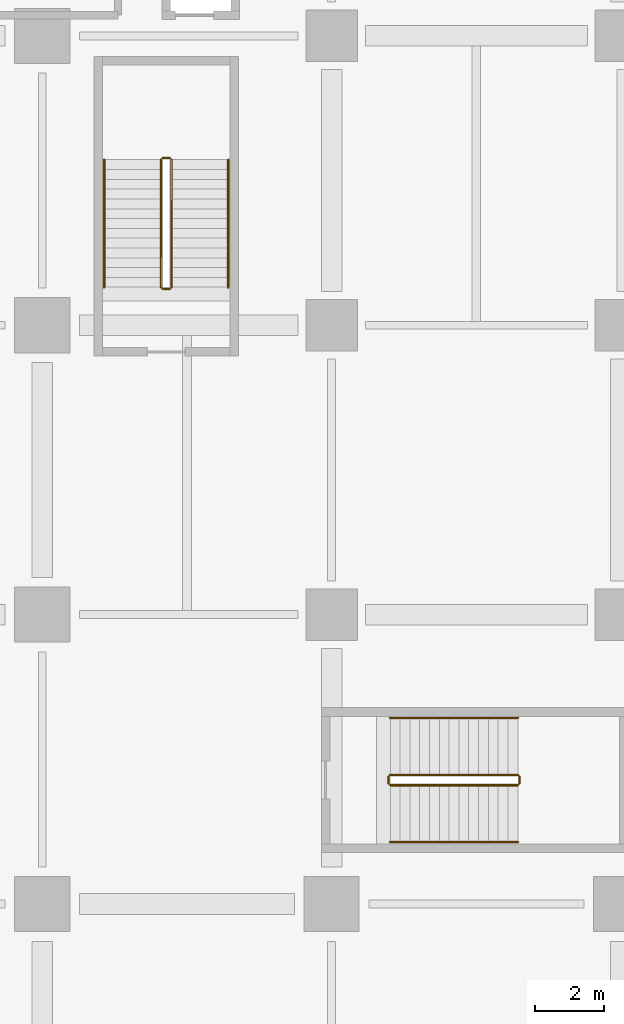
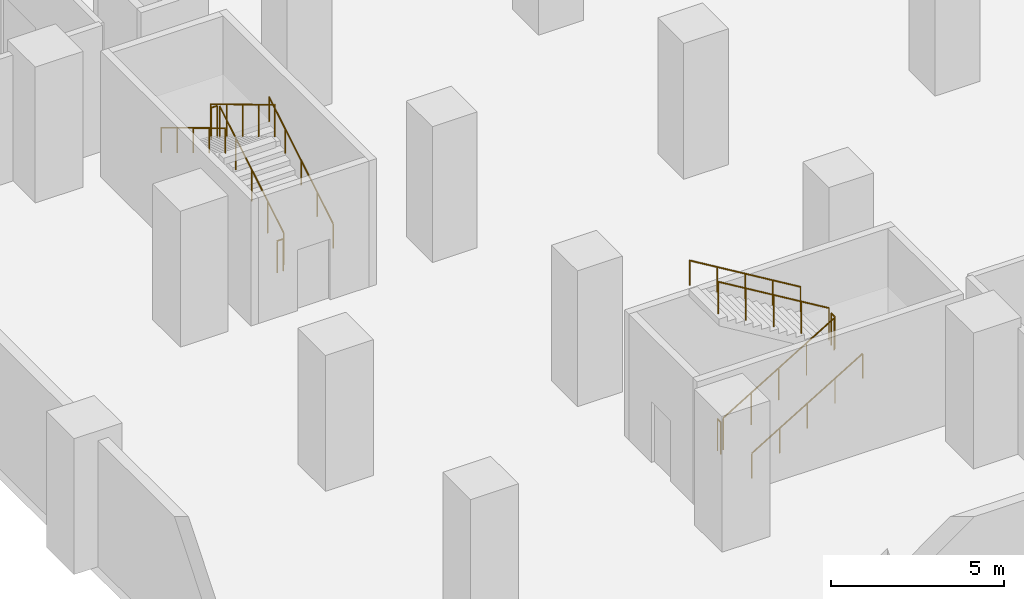
# One storey, part 19 of 22: 12 railings.
"""IFC4 building model written with IfcOpenShell, lengths in metres."""

import ifcopenshell
import ifcopenshell.guid

model = None  # the IFC model being written
_history = None  # IfcOwnerHistory: only IFC2X3 demands one
_inside = {}  # id of a spatial element -> (the spatial element, [elements in it])
_under = {}  # id of a project, library or spatial element -> (it, [spatial elements below it])
_declared = {}  # id of a project -> (the project, [libraries it declares])
_typed = {}  # id of a type object -> (the type object, [elements of that type])
_made_of = {}  # id of a material, layer set ... -> (it, [elements and type objects made of it])


def new_model(schema):
    """Start an empty IFC model of exactly this schema.

    Asked for "IFC4X3", IfcOpenShell would pick the latest addendum, in which some entities
    have other attributes; the version numbers below select the first issue.
    IFC2X3 requires an IfcOwnerHistory on every rooted entity: one is made here for all.
    """
    global model, _history
    if schema == "IFC4X3":
        model = ifcopenshell.file(schema_version=(4, 3, 0, 0))
    else:
        model = ifcopenshell.file(schema=schema)
    _inside.clear()
    _under.clear()
    _declared.clear()
    _typed.clear()
    _made_of.clear()
    _history = None
    if model.schema == "IFC2X3":
        org = make("IfcOrganization", Name="unknown")
        user = make(
            "IfcPersonAndOrganization",
            ThePerson=make("IfcPerson", FamilyName="unknown"),
            TheOrganization=org,
        )
        app = make(
            "IfcApplication",
            ApplicationDeveloper=org,
            Version="unknown",
            ApplicationFullName="unknown",
            ApplicationIdentifier="unknown",
        )
        _history = make(
            "IfcOwnerHistory",
            OwningUser=user,
            OwningApplication=app,
            ChangeAction="ADDED",
            CreationDate=0,
        )
    return model


def make(cls, **values):
    """One entity of the class cls with the attributes given. An attribute that is None is left unset."""
    return model.create_entity(
        cls, **{name: value for name, value in values.items() if value is not None}
    )


def rooted(cls, **values):
    """An entity with a GlobalId (a new one), such as an element, a storey or a relation."""
    return make(cls, GlobalId=ifcopenshell.guid.new(), OwnerHistory=_history, **values)


def si_unit(unit_type, name, prefix=None):
    """IfcSIUnit, for example si_unit("LENGTHUNIT", "METRE", prefix="MILLI")."""
    return make("IfcSIUnit", UnitType=unit_type, Prefix=prefix, Name=name)


def assignment(units):
    """IfcUnitAssignment: the units of a project."""
    return None if units is None else make("IfcUnitAssignment", Units=units)


def point(xyz):
    """IfcCartesianPoint."""
    return None if xyz is None else make("IfcCartesianPoint", Coordinates=xyz)


def direction(xyz):
    """IfcDirection."""
    return None if xyz is None else make("IfcDirection", DirectionRatios=xyz)


def frame(location, z_axis=None, x_axis=None):
    """IfcAxis2Placement3D, a coordinate frame: its origin and axes. An axis left out is left unset."""
    return make(
        "IfcAxis2Placement3D",
        Location=point(location),
        Axis=direction(z_axis),
        RefDirection=direction(x_axis),
    )


def frame_2d(location, x_axis=None):
    """IfcAxis2Placement2D, a coordinate frame in the plane: its origin and x axis."""
    return make(
        "IfcAxis2Placement2D", Location=point(location), RefDirection=direction(x_axis)
    )


def origin():
    """The frame at (0, 0, 0) with its axes left unset."""
    return frame((0.0, 0.0, 0.0))


def origin_2d():
    """The frame at (0, 0) in the plane with its x axis left unset."""
    return frame_2d((0.0, 0.0))


def place(relative_to, where):
    """IfcLocalPlacement: puts the frame where relative to a parent placement (None: the world)."""
    return make(
        "IfcLocalPlacement", PlacementRelTo=relative_to, RelativePlacement=where
    )


def context(
    kind, dimensions, precision=None, world=None, true_north=None, identifier=None
):
    """IfcGeometricRepresentationContext, for example the 3D "Model" context."""
    return make(
        "IfcGeometricRepresentationContext",
        ContextIdentifier=identifier,
        ContextType=kind,
        CoordinateSpaceDimension=dimensions,
        Precision=precision,
        WorldCoordinateSystem=world,
        TrueNorth=true_north,
    )


def subcontext(parent, identifier, kind, view, scale=None):
    """IfcGeometricRepresentationSubContext, for example "Body" below "Model"."""
    return make(
        "IfcGeometricRepresentationSubContext",
        ContextIdentifier=identifier,
        ContextType=kind,
        ParentContext=parent,
        TargetScale=scale,
        TargetView=view,
    )


def project(units=None, contexts=None):
    """IfcProject with its units and contexts."""
    return rooted(
        "IfcProject",
        Name="project",
        RepresentationContexts=contexts,
        UnitsInContext=assignment(units),
    )


def spatial(cls, under=None, at=None, **own):
    """A site, building, storey or space (cls), placed at a placement, below another one or the project."""
    s = rooted(cls, ObjectPlacement=at, **own)
    if under is not None:
        _under.setdefault(under.id(), (under, []))[1].append(s)
    return s


def profile(cls, at=None, kind="AREA", **sizes):
    """A parametric profile (cls). Its sizes go by their IFC names, for example OverallWidth=200.0."""
    return make(cls, ProfileType=kind, Position=at, **sizes)


def circle(**sizes):
    """IfcCircleProfileDef."""
    return profile("IfcCircleProfileDef", **sizes)


def extrude(swept, where, along, depth):
    """IfcExtrudedAreaSolid: the profile swept, set in the frame where, extruded along a direction by depth."""
    return make(
        "IfcExtrudedAreaSolid",
        SweptArea=swept,
        Position=where,
        ExtrudedDirection=direction(along),
        Depth=depth,
    )


def shape(context_of_items, identifier, shape_type, items):
    """IfcShapeRepresentation: the items that make up one representation, for example the "Body"."""
    return make(
        "IfcShapeRepresentation",
        ContextOfItems=context_of_items,
        RepresentationIdentifier=identifier,
        RepresentationType=shape_type,
        Items=items,
    )


def material(Name=None, Category=None):
    """IfcMaterial."""
    return make("IfcMaterial", Name=Name, Category=Category)


def made_of(thing, what):
    """Note that an element or type object is made of a material, layer set ...; save() writes the relation."""
    if what is not None:
        _made_of.setdefault(what.id(), (what, []))[1].append(thing)
    return thing


def type_object(cls, material=None, **own):
    """A type object (cls), such as IfcWallType, which elements share."""
    return made_of(rooted(cls, **own), material)


def element(
    cls,
    number,
    at=None,
    inside=None,
    cuts=None,
    type_object=None,
    material=None,
    context=None,
    identifier="Body",
    shape_type=None,
    held_by="IfcProductDefinitionShape",
    body=None,
    shapes=None,
    **own,
):
    """One element of the class cls, such as IfcWall. Its Tag is "e" and its number.

    at: its placement. inside: the storey or other place that contains it. cuts: it is an
    opening in that element (IfcRelVoidsElement). A single representation is given by context,
    identifier, shape_type and body (its items); several are given by shapes. held_by: the class
    of the entity that holds the representations. save() writes the other relations.
    """
    e = rooted(cls, Tag="e%d" % number, ObjectPlacement=at, **own)
    if body is not None:
        shapes = [shape(context, identifier, shape_type, body)]
    if shapes is not None:
        e.Representation = make(held_by, Representations=shapes)
    if inside is not None:
        _inside.setdefault(inside.id(), (inside, []))[1].append(e)
    if cuts is not None:
        rooted(
            "IfcRelVoidsElement", RelatingBuildingElement=cuts, RelatedOpeningElement=e
        )
    if type_object is not None:
        _typed.setdefault(type_object.id(), (type_object, []))[1].append(e)
    return made_of(e, material)


def aggregate(whole, parts):
    """IfcRelAggregates: a whole, such as a stair, and the parts it consists of."""
    return rooted("IfcRelAggregates", RelatingObject=whole, RelatedObjects=parts)


def save(model, path):
    """Write the relations noted so far, then the file.

    IfcRelAggregates (storeys below a building ...), IfcRelContainedInSpatialStructure (elements
    in a storey), IfcRelDefinesByType, IfcRelAssociatesMaterial and IfcRelDeclares: one each for
    every whole, place, type object, material and project.
    """
    for whole, parts in _under.values():
        aggregate(whole, parts)
    for where, things in _inside.values():
        rooted(
            "IfcRelContainedInSpatialStructure",
            RelatedElements=things,
            RelatingStructure=where,
        )
    for kind, things in _typed.values():
        rooted("IfcRelDefinesByType", RelatedObjects=things, RelatingType=kind)
    for what, things in _made_of.values():
        rooted("IfcRelAssociatesMaterial", RelatedObjects=things, RelatingMaterial=what)
    for by, libraries in _declared.values():
        rooted("IfcRelDeclares", RelatingContext=by, RelatedDefinitions=libraries)
    model.write(path)


model = new_model("IFC4")

# Units and contexts
model_context = context("Model", 3, precision=1e-05, world=origin(), true_north=direction((0.0, 1.0)))
body_context = subcontext(model_context, "Body", "Model", "MODEL_VIEW")
ifc_project = project(units=[si_unit("LENGTHUNIT", "METRE"), si_unit("AREAUNIT", "SQUARE_METRE"), si_unit("VOLUMEUNIT", "CUBIC_METRE"), si_unit("PLANEANGLEUNIT", "RADIAN"), si_unit("MASSUNIT", "GRAM", prefix="KILO")], contexts=[model_context])

# Site, building, storey
site_placement = place(None, origin())
site = spatial("IfcSite", under=ifc_project, at=site_placement, CompositionType="ELEMENT")
building_placement = place(site_placement, origin())
building = spatial("IfcBuilding", under=site, at=building_placement, Name="Koriwani Terraces Tower", CompositionType="ELEMENT")
storey_placement = place(building_placement, frame((0.0, 0.0, 6.0)))
storey = spatial("IfcBuildingStorey", under=building, at=storey_placement, Name="L01", CompositionType="ELEMENT", Elevation=6.0)

# Railings
ifc_material = material(Name="Steel ASTM A572 Grade 50", Category="steel")
railing_type_1 = type_object("IfcRailingType", Name="GUARD_STAIR_WELL_1120", PredefinedType="GUARDRAIL", material=ifc_material)
railing_1_placement = place(storey_placement, frame((12.14990234375, 26.300048828125, 0.17138671875)))
element("IfcRailing", 1, at=railing_1_placement, inside=storey, type_object=railing_type_1, Name="L01 ST-P1 stair guard 1", PredefinedType="GUARDRAIL", context=body_context, shape_type="SweptSolid", body=[
    extrude(circle(Radius=0.02392578125, at=origin_2d()), frame((0.0, 0.0, 1.1259765625), z_axis=(0.0, 0.856919398105, 0.515450429384), x_axis=(-1.0, 0.0, 0.0)), (0.0, 0.0, 1.0), 4.323486328125),
    extrude(circle(Radius=0.02099609375, at=origin_2d()), origin(), (0.0, 0.0, 1.0), 1.101806640625),
    extrude(circle(Radius=0.02099609375, at=origin_2d()), frame((0.0, 0.92626953125, 0.55712890625)), (0.0, 0.0, 1.0), 1.101806640625),
    extrude(circle(Radius=0.02099609375, at=origin_2d()), frame((0.0, 1.8525390625, 1.1142578125)), (0.0, 0.0, 1.0), 1.101806640625),
    extrude(circle(Radius=0.02099609375, at=origin_2d()), frame((0.0, 2.778564453125, 1.67138671875)), (0.0, 0.0, 1.0), 1.101806640625),
    extrude(circle(Radius=0.02099609375, at=origin_2d()), frame((0.0, 3.704833984375, 2.228515625)), (0.0, 0.0, 1.0), 1.101806640625),
])
railing_2_placement = place(storey_placement, frame((12.10009765625, 30.054931640625, 2.39990234375)))
element("IfcRailing", 2, at=railing_2_placement, inside=storey, type_object=railing_type_1, Name="L01 ST-P1 stair guard 2", PredefinedType="GUARDRAIL", context=body_context, shape_type="SweptSolid", body=[
    extrude(circle(Radius=0.02392578125, at=origin_2d()), frame((0.0, 0.0, 1.1259765625), z_axis=(-1.0, 0.0, 0.0), x_axis=(0.0, -1.0, 0.0)), (0.0, 0.0, 1.0), 0.2001953125),
    extrude(circle(Radius=0.02099609375, at=origin_2d()), origin(), (0.0, 0.0, 1.0), 1.101806640625),
    extrude(circle(Radius=0.02099609375, at=origin_2d()), frame((-0.2001953125, 0.0, 0.0)), (0.0, 0.0, 1.0), 1.101806640625),
])
railing_3_placement = place(storey_placement, frame((11.85009765625, 30.0048828125, 2.571533203125)))
element("IfcRailing", 3, at=railing_3_placement, inside=storey, type_object=railing_type_1, Name="L01 ST-P1 stair guard 3", PredefinedType="GUARDRAIL", context=body_context, shape_type="SweptSolid", body=[
    extrude(circle(Radius=0.02392578125, at=origin_2d()), frame((0.0, 0.0, 1.1259765625), z_axis=(0.0, -0.856919398105, 0.515450429384), x_axis=(1.0, 0.0, 0.0)), (0.0, 0.0, 1.0), 4.323486328125),
    extrude(circle(Radius=0.02099609375, at=origin_2d()), origin(), (0.0, 0.0, 1.0), 1.101806640625),
    extrude(circle(Radius=0.02099609375, at=origin_2d()), frame((0.0, -0.92626953125, 0.55712890625)), (0.0, 0.0, 1.0), 1.101806640625),
    extrude(circle(Radius=0.02099609375, at=origin_2d()), frame((0.0, -1.8525390625, 1.1142578125)), (0.0, 0.0, 1.0), 1.101806640625),
    extrude(circle(Radius=0.02099609375, at=origin_2d()), frame((0.0, -2.778564453125, 1.67138671875)), (0.0, 0.0, 1.0), 1.101806640625),
    extrude(circle(Radius=0.02099609375, at=origin_2d()), frame((0.0, -3.704833984375, 2.228515625)), (0.0, 0.0, 1.0), 1.101806640625),
])
railing_4_placement = place(storey_placement, frame((12.10009765625, 26.25, 0.0)))
element("IfcRailing", 4, at=railing_4_placement, inside=storey, type_object=railing_type_1, Name="L01 ST-P1 stair guard 4", PredefinedType="GUARDRAIL", context=body_context, shape_type="SweptSolid", body=[
    extrude(circle(Radius=0.02392578125, at=origin_2d()), frame((0.0, 0.0, 1.1259765625), z_axis=(-1.0, 0.0, 0.0), x_axis=(0.0, -1.0, 0.0)), (0.0, 0.0, 1.0), 0.2001953125),
    extrude(circle(Radius=0.02099609375, at=origin_2d()), origin(), (0.0, 0.0, 1.0), 1.101806640625),
    extrude(circle(Radius=0.02099609375, at=origin_2d()), frame((-0.2001953125, 0.0, 0.0)), (0.0, 0.0, 1.0), 1.101806640625),
])
railing_5_placement = place(storey_placement, frame((18.5, 11.85009765625, 0.17138671875)))
element("IfcRailing", 5, at=railing_5_placement, inside=storey, type_object=railing_type_1, Name="L01 ST-P2 stair guard 1", PredefinedType="GUARDRAIL", context=body_context, shape_type="SweptSolid", body=[
    extrude(circle(Radius=0.02392578125, at=origin_2d()), frame((0.0, 0.0, 1.1259765625), z_axis=(0.856934400257, 0.0, 0.515425487977), x_axis=(0.0, 1.0, 0.0)), (0.0, 0.0, 1.0), 4.32373046875),
    extrude(circle(Radius=0.02099609375, at=origin_2d()), origin(), (0.0, 0.0, 1.0), 1.101806640625),
    extrude(circle(Radius=0.02099609375, at=origin_2d()), frame((0.92626953125, 0.0, 0.55712890625)), (0.0, 0.0, 1.0), 1.101806640625),
    extrude(circle(Radius=0.02099609375, at=origin_2d()), frame((1.8525390625, 0.0, 1.1142578125)), (0.0, 0.0, 1.0), 1.101806640625),
    extrude(circle(Radius=0.02099609375, at=origin_2d()), frame((2.77880859375, 0.0, 1.67138671875)), (0.0, 0.0, 1.0), 1.101806640625),
    extrude(circle(Radius=0.02099609375, at=origin_2d()), frame((3.705078125, 0.0, 2.228515625)), (0.0, 0.0, 1.0), 1.101806640625),
])
railing_6_placement = place(storey_placement, frame((22.2548828125, 11.89990234375, 2.39990234375)))
element("IfcRailing", 6, at=railing_6_placement, inside=storey, type_object=railing_type_1, Name="L01 ST-P2 stair guard 2", PredefinedType="GUARDRAIL", context=body_context, shape_type="SweptSolid", body=[
    extrude(circle(Radius=0.02392578125, at=origin_2d()), frame((0.0, 0.0, 1.1259765625), z_axis=(0.0, 1.0, 0.0), x_axis=(-1.0, 0.0, 0.0)), (0.0, 0.0, 1.0), 0.2001953125),
    extrude(circle(Radius=0.02099609375, at=origin_2d()), origin(), (0.0, 0.0, 1.0), 1.101806640625),
    extrude(circle(Radius=0.02099609375, at=origin_2d()), frame((0.0, 0.2001953125, 0.0)), (0.0, 0.0, 1.0), 1.101806640625),
])
railing_7_placement = place(storey_placement, frame((22.205078125, 12.14990234375, 2.571533203125)))
element("IfcRailing", 7, at=railing_7_placement, inside=storey, type_object=railing_type_1, Name="L01 ST-P2 stair guard 3", PredefinedType="GUARDRAIL", context=body_context, shape_type="SweptSolid", body=[
    extrude(circle(Radius=0.02392578125, at=origin_2d()), frame((0.0, 0.0, 1.1259765625), z_axis=(-0.856934400257, 0.0, 0.515425487977), x_axis=(0.0, -1.0, 0.0)), (0.0, 0.0, 1.0), 4.32373046875),
    extrude(circle(Radius=0.02099609375, at=origin_2d()), origin(), (0.0, 0.0, 1.0), 1.101806640625),
    extrude(circle(Radius=0.02099609375, at=origin_2d()), frame((-0.92626953125, 0.0, 0.55712890625)), (0.0, 0.0, 1.0), 1.101806640625),
    extrude(circle(Radius=0.02099609375, at=origin_2d()), frame((-1.8525390625, 0.0, 1.1142578125)), (0.0, 0.0, 1.0), 1.101806640625),
    extrude(circle(Radius=0.02099609375, at=origin_2d()), frame((-2.77880859375, 0.0, 1.67138671875)), (0.0, 0.0, 1.0), 1.101806640625),
    extrude(circle(Radius=0.02099609375, at=origin_2d()), frame((-3.705078125, 0.0, 2.228515625)), (0.0, 0.0, 1.0), 1.101806640625),
])
railing_8_placement = place(storey_placement, frame((18.449951171875, 11.89990234375, 0.0)))
element("IfcRailing", 8, at=railing_8_placement, inside=storey, type_object=railing_type_1, Name="L01 ST-P2 stair guard 4", PredefinedType="GUARDRAIL", context=body_context, shape_type="SweptSolid", body=[
    extrude(circle(Radius=0.02392578125, at=origin_2d()), frame((0.0, 0.0, 1.1259765625), z_axis=(0.0, 1.0, 0.0), x_axis=(-1.0, 0.0, 0.0)), (0.0, 0.0, 1.0), 0.2001953125),
    extrude(circle(Radius=0.02099609375, at=origin_2d()), origin(), (0.0, 0.0, 1.0), 1.101806640625),
    extrude(circle(Radius=0.02099609375, at=origin_2d()), frame((0.0, 0.2001953125, 0.0)), (0.0, 0.0, 1.0), 1.101806640625),
])
railing_type_2 = type_object("IfcRailingType", Name="HANDRAIL_STAIR_920", PredefinedType="HANDRAIL", material=ifc_material)
railing_9_placement = place(storey_placement, frame((13.800048828125, 26.300048828125, 0.17138671875)))
element("IfcRailing", 9, at=railing_9_placement, inside=storey, type_object=railing_type_2, Name="L01 ST-P1 stair handrail 1", PredefinedType="HANDRAIL", context=body_context, shape_type="SweptSolid", body=[
    extrude(circle(Radius=0.02392578125, at=origin_2d()), frame((0.0, 0.0, 0.8759765625), z_axis=(0.0, 0.856919398105, 0.515450429384), x_axis=(-1.0, 0.0, 0.0)), (0.0, 0.0, 1.0), 4.323486328125),
    extrude(circle(Radius=0.02099609375, at=origin_2d()), origin(), (0.0, 0.0, 1.0), 0.851806640625),
    extrude(circle(Radius=0.02099609375, at=origin_2d()), frame((0.0, 0.92626953125, 0.55712890625)), (0.0, 0.0, 1.0), 0.851806640625),
    extrude(circle(Radius=0.02099609375, at=origin_2d()), frame((0.0, 1.8525390625, 1.1142578125)), (0.0, 0.0, 1.0), 0.851806640625),
    extrude(circle(Radius=0.02099609375, at=origin_2d()), frame((0.0, 2.778564453125, 1.67138671875)), (0.0, 0.0, 1.0), 0.851806640625),
    extrude(circle(Radius=0.02099609375, at=origin_2d()), frame((0.0, 3.704833984375, 2.228515625)), (0.0, 0.0, 1.0), 0.851806640625),
])
railing_10_placement = place(storey_placement, frame((10.199951171875, 30.0048828125, 2.571533203125)))
element("IfcRailing", 10, at=railing_10_placement, inside=storey, type_object=railing_type_2, Name="L01 ST-P1 stair handrail 2", PredefinedType="HANDRAIL", context=body_context, shape_type="SweptSolid", body=[
    extrude(circle(Radius=0.02392578125, at=origin_2d()), frame((0.0, 0.0, 0.8759765625), z_axis=(0.0, -0.856919398105, 0.515450429384), x_axis=(1.0, 0.0, 0.0)), (0.0, 0.0, 1.0), 4.323486328125),
    extrude(circle(Radius=0.02099609375, at=origin_2d()), origin(), (0.0, 0.0, 1.0), 0.851806640625),
    extrude(circle(Radius=0.02099609375, at=origin_2d()), frame((0.0, -0.92626953125, 0.55712890625)), (0.0, 0.0, 1.0), 0.851806640625),
    extrude(circle(Radius=0.02099609375, at=origin_2d()), frame((0.0, -1.8525390625, 1.1142578125)), (0.0, 0.0, 1.0), 0.851806640625),
    extrude(circle(Radius=0.02099609375, at=origin_2d()), frame((0.0, -2.778564453125, 1.67138671875)), (0.0, 0.0, 1.0), 0.851806640625),
    extrude(circle(Radius=0.02099609375, at=origin_2d()), frame((0.0, -3.704833984375, 2.228515625)), (0.0, 0.0, 1.0), 0.851806640625),
])
railing_11_placement = place(storey_placement, frame((18.5, 10.199951171875, 0.17138671875)))
element("IfcRailing", 11, at=railing_11_placement, inside=storey, type_object=railing_type_2, Name="L01 ST-P2 stair handrail 1", PredefinedType="HANDRAIL", context=body_context, shape_type="SweptSolid", body=[
    extrude(circle(Radius=0.02392578125, at=origin_2d()), frame((0.0, 0.0, 0.8759765625), z_axis=(0.856934400257, 0.0, 0.515425487977), x_axis=(0.0, 1.0, 0.0)), (0.0, 0.0, 1.0), 4.32373046875),
    extrude(circle(Radius=0.02099609375, at=origin_2d()), origin(), (0.0, 0.0, 1.0), 0.851806640625),
    extrude(circle(Radius=0.02099609375, at=origin_2d()), frame((0.92626953125, 0.0, 0.55712890625)), (0.0, 0.0, 1.0), 0.851806640625),
    extrude(circle(Radius=0.02099609375, at=origin_2d()), frame((1.8525390625, 0.0, 1.1142578125)), (0.0, 0.0, 1.0), 0.851806640625),
    extrude(circle(Radius=0.02099609375, at=origin_2d()), frame((2.77880859375, 0.0, 1.67138671875)), (0.0, 0.0, 1.0), 0.851806640625),
    extrude(circle(Radius=0.02099609375, at=origin_2d()), frame((3.705078125, 0.0, 2.228515625)), (0.0, 0.0, 1.0), 0.851806640625),
])
railing_12_placement = place(storey_placement, frame((22.205078125, 13.800048828125, 2.571533203125)))
element("IfcRailing", 12, at=railing_12_placement, inside=storey, type_object=railing_type_2, Name="L01 ST-P2 stair handrail 2", PredefinedType="HANDRAIL", context=body_context, shape_type="SweptSolid", body=[
    extrude(circle(Radius=0.02392578125, at=origin_2d()), frame((0.0, 0.0, 0.8759765625), z_axis=(-0.856934400257, 0.0, 0.515425487977), x_axis=(0.0, -1.0, 0.0)), (0.0, 0.0, 1.0), 4.32373046875),
    extrude(circle(Radius=0.02099609375, at=origin_2d()), origin(), (0.0, 0.0, 1.0), 0.851806640625),
    extrude(circle(Radius=0.02099609375, at=origin_2d()), frame((-0.92626953125, 0.0, 0.55712890625)), (0.0, 0.0, 1.0), 0.851806640625),
    extrude(circle(Radius=0.02099609375, at=origin_2d()), frame((-1.8525390625, 0.0, 1.1142578125)), (0.0, 0.0, 1.0), 0.851806640625),
    extrude(circle(Radius=0.02099609375, at=origin_2d()), frame((-2.77880859375, 0.0, 1.67138671875)), (0.0, 0.0, 1.0), 0.851806640625),
    extrude(circle(Radius=0.02099609375, at=origin_2d()), frame((-3.705078125, 0.0, 2.228515625)), (0.0, 0.0, 1.0), 0.851806640625),
])

save(model, "model.ifc")
